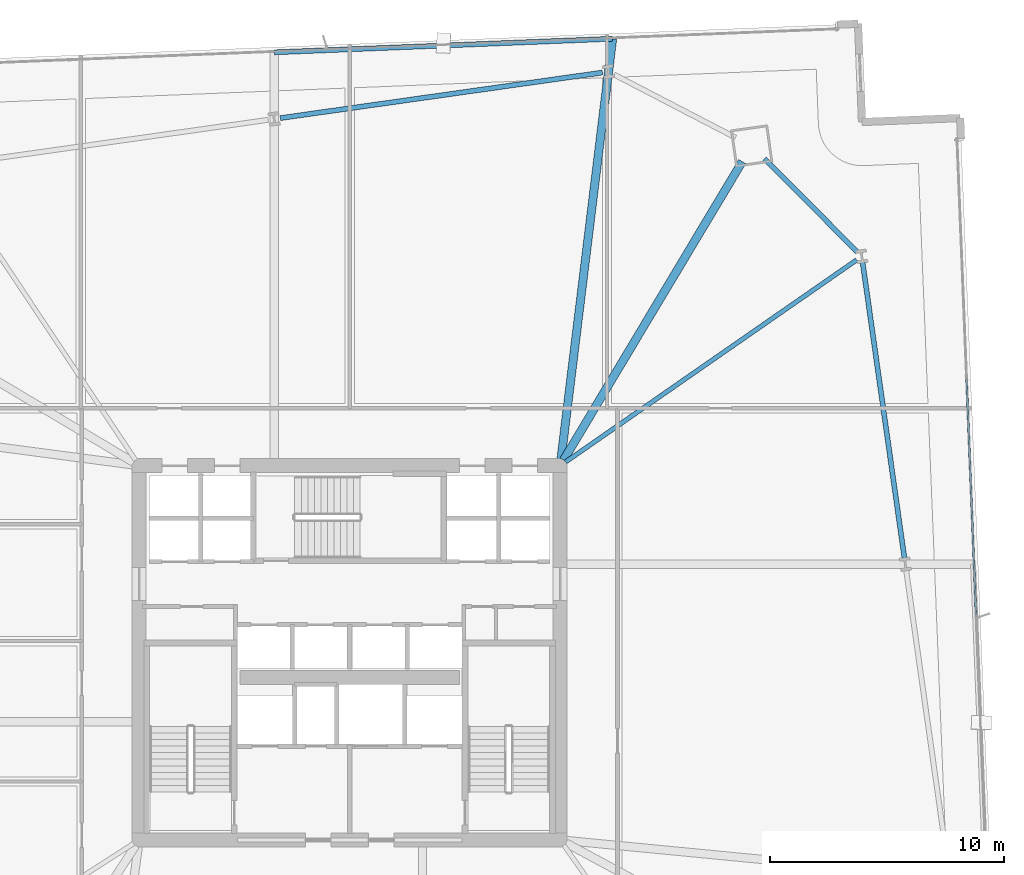
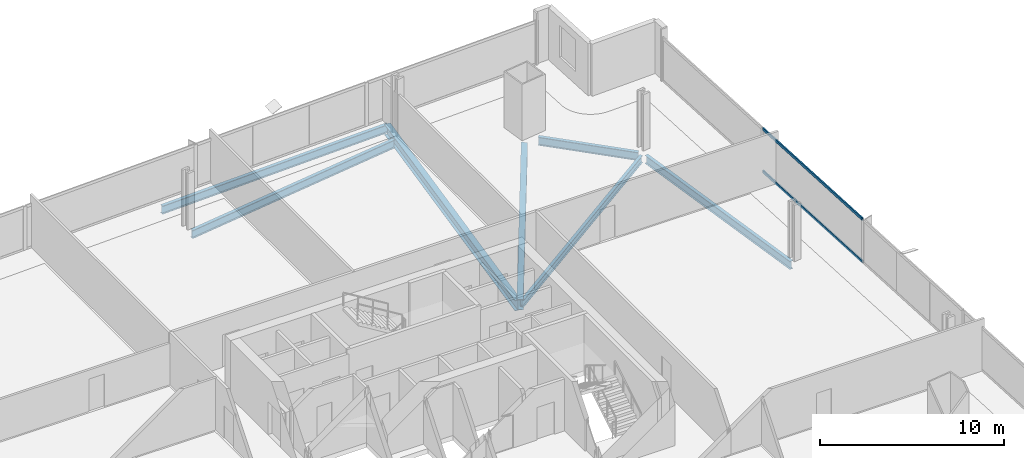
# One storey, part 20 of 32: 7 beams, 2 members, 1 element without a shape of its own.
"""IFC4 building model written with IfcOpenShell, lengths in metres."""

import ifcopenshell
import ifcopenshell.guid

model = None  # the IFC model being written
_history = None  # IfcOwnerHistory: only IFC2X3 demands one
_inside = {}  # id of a spatial element -> (the spatial element, [elements in it])
_under = {}  # id of a project, library or spatial element -> (it, [spatial elements below it])
_declared = {}  # id of a project -> (the project, [libraries it declares])
_typed = {}  # id of a type object -> (the type object, [elements of that type])
_made_of = {}  # id of a material, layer set ... -> (it, [elements and type objects made of it])


def new_model(schema):
    """Start an empty IFC model of exactly this schema.

    Asked for "IFC4X3", IfcOpenShell would pick the latest addendum, in which some entities
    have other attributes; the version numbers below select the first issue.
    IFC2X3 requires an IfcOwnerHistory on every rooted entity: one is made here for all.
    """
    global model, _history
    if schema == "IFC4X3":
        model = ifcopenshell.file(schema_version=(4, 3, 0, 0))
    else:
        model = ifcopenshell.file(schema=schema)
    _inside.clear()
    _under.clear()
    _declared.clear()
    _typed.clear()
    _made_of.clear()
    _history = None
    if model.schema == "IFC2X3":
        org = make("IfcOrganization", Name="unknown")
        user = make(
            "IfcPersonAndOrganization",
            ThePerson=make("IfcPerson", FamilyName="unknown"),
            TheOrganization=org,
        )
        app = make(
            "IfcApplication",
            ApplicationDeveloper=org,
            Version="unknown",
            ApplicationFullName="unknown",
            ApplicationIdentifier="unknown",
        )
        _history = make(
            "IfcOwnerHistory",
            OwningUser=user,
            OwningApplication=app,
            ChangeAction="ADDED",
            CreationDate=0,
        )
    return model


def make(cls, **values):
    """One entity of the class cls with the attributes given. An attribute that is None is left unset."""
    return model.create_entity(
        cls, **{name: value for name, value in values.items() if value is not None}
    )


def rooted(cls, **values):
    """An entity with a GlobalId (a new one), such as an element, a storey or a relation."""
    return make(cls, GlobalId=ifcopenshell.guid.new(), OwnerHistory=_history, **values)


def si_unit(unit_type, name, prefix=None):
    """IfcSIUnit, for example si_unit("LENGTHUNIT", "METRE", prefix="MILLI")."""
    return make("IfcSIUnit", UnitType=unit_type, Prefix=prefix, Name=name)


def assignment(units):
    """IfcUnitAssignment: the units of a project."""
    return None if units is None else make("IfcUnitAssignment", Units=units)


def point(xyz):
    """IfcCartesianPoint."""
    return None if xyz is None else make("IfcCartesianPoint", Coordinates=xyz)


def direction(xyz):
    """IfcDirection."""
    return None if xyz is None else make("IfcDirection", DirectionRatios=xyz)


def frame(location, z_axis=None, x_axis=None):
    """IfcAxis2Placement3D, a coordinate frame: its origin and axes. An axis left out is left unset."""
    return make(
        "IfcAxis2Placement3D",
        Location=point(location),
        Axis=direction(z_axis),
        RefDirection=direction(x_axis),
    )


def frame_2d(location, x_axis=None):
    """IfcAxis2Placement2D, a coordinate frame in the plane: its origin and x axis."""
    return make(
        "IfcAxis2Placement2D", Location=point(location), RefDirection=direction(x_axis)
    )


def origin():
    """The frame at (0, 0, 0) with its axes left unset."""
    return frame((0.0, 0.0, 0.0))


def origin_2d():
    """The frame at (0, 0) in the plane with its x axis left unset."""
    return frame_2d((0.0, 0.0))


def place(relative_to, where):
    """IfcLocalPlacement: puts the frame where relative to a parent placement (None: the world)."""
    return make(
        "IfcLocalPlacement", PlacementRelTo=relative_to, RelativePlacement=where
    )


def context(
    kind, dimensions, precision=None, world=None, true_north=None, identifier=None
):
    """IfcGeometricRepresentationContext, for example the 3D "Model" context."""
    return make(
        "IfcGeometricRepresentationContext",
        ContextIdentifier=identifier,
        ContextType=kind,
        CoordinateSpaceDimension=dimensions,
        Precision=precision,
        WorldCoordinateSystem=world,
        TrueNorth=true_north,
    )


def subcontext(parent, identifier, kind, view, scale=None):
    """IfcGeometricRepresentationSubContext, for example "Body" below "Model"."""
    return make(
        "IfcGeometricRepresentationSubContext",
        ContextIdentifier=identifier,
        ContextType=kind,
        ParentContext=parent,
        TargetScale=scale,
        TargetView=view,
    )


def project(units=None, contexts=None):
    """IfcProject with its units and contexts."""
    return rooted(
        "IfcProject",
        Name="project",
        RepresentationContexts=contexts,
        UnitsInContext=assignment(units),
    )


def spatial(cls, under=None, at=None, **own):
    """A site, building, storey or space (cls), placed at a placement, below another one or the project."""
    s = rooted(cls, ObjectPlacement=at, **own)
    if under is not None:
        _under.setdefault(under.id(), (under, []))[1].append(s)
    return s


def profile(cls, at=None, kind="AREA", **sizes):
    """A parametric profile (cls). Its sizes go by their IFC names, for example OverallWidth=200.0."""
    return make(cls, ProfileType=kind, Position=at, **sizes)


def hollow_rectangle(**sizes):
    """IfcRectangleHollowProfileDef."""
    return profile("IfcRectangleHollowProfileDef", **sizes)


def i_section(**sizes):
    """IfcIShapeProfileDef."""
    return profile("IfcIShapeProfileDef", **sizes)


def extrude(swept, where, along, depth):
    """IfcExtrudedAreaSolid: the profile swept, set in the frame where, extruded along a direction by depth."""
    return make(
        "IfcExtrudedAreaSolid",
        SweptArea=swept,
        Position=where,
        ExtrudedDirection=direction(along),
        Depth=depth,
    )


def shape(context_of_items, identifier, shape_type, items):
    """IfcShapeRepresentation: the items that make up one representation, for example the "Body"."""
    return make(
        "IfcShapeRepresentation",
        ContextOfItems=context_of_items,
        RepresentationIdentifier=identifier,
        RepresentationType=shape_type,
        Items=items,
    )


def material(Name=None, Category=None):
    """IfcMaterial."""
    return make("IfcMaterial", Name=Name, Category=Category)


def material_profile(
    of_material, cross_section, Name=None, Category=None, Priority=None
):
    """IfcMaterialProfile: a cross section and its material."""
    return make(
        "IfcMaterialProfile",
        Name=Name,
        Material=of_material,
        Profile=cross_section,
        Priority=Priority,
        Category=Category,
    )


def profile_set(profiles, Name=None, composite=None):
    """IfcMaterialProfileSet."""
    return make(
        "IfcMaterialProfileSet",
        Name=Name,
        MaterialProfiles=profiles,
        CompositeProfile=composite,
    )


def made_of(thing, what):
    """Note that an element or type object is made of a material, layer set ...; save() writes the relation."""
    if what is not None:
        _made_of.setdefault(what.id(), (what, []))[1].append(thing)
    return thing


def type_object(cls, material=None, **own):
    """A type object (cls), such as IfcWallType, which elements share."""
    return made_of(rooted(cls, **own), material)


def element(
    cls,
    number,
    at=None,
    inside=None,
    cuts=None,
    type_object=None,
    material=None,
    context=None,
    identifier="Body",
    shape_type=None,
    held_by="IfcProductDefinitionShape",
    body=None,
    shapes=None,
    **own,
):
    """One element of the class cls, such as IfcWall. Its Tag is "e" and its number.

    at: its placement. inside: the storey or other place that contains it. cuts: it is an
    opening in that element (IfcRelVoidsElement). A single representation is given by context,
    identifier, shape_type and body (its items); several are given by shapes. held_by: the class
    of the entity that holds the representations. save() writes the other relations.
    """
    e = rooted(cls, Tag="e%d" % number, ObjectPlacement=at, **own)
    if body is not None:
        shapes = [shape(context, identifier, shape_type, body)]
    if shapes is not None:
        e.Representation = make(held_by, Representations=shapes)
    if inside is not None:
        _inside.setdefault(inside.id(), (inside, []))[1].append(e)
    if cuts is not None:
        rooted(
            "IfcRelVoidsElement", RelatingBuildingElement=cuts, RelatedOpeningElement=e
        )
    if type_object is not None:
        _typed.setdefault(type_object.id(), (type_object, []))[1].append(e)
    return made_of(e, material)


def aggregate(whole, parts):
    """IfcRelAggregates: a whole, such as a stair, and the parts it consists of."""
    return rooted("IfcRelAggregates", RelatingObject=whole, RelatedObjects=parts)


def save(model, path):
    """Write the relations noted so far, then the file.

    IfcRelAggregates (storeys below a building ...), IfcRelContainedInSpatialStructure (elements
    in a storey), IfcRelDefinesByType, IfcRelAssociatesMaterial and IfcRelDeclares: one each for
    every whole, place, type object, material and project.
    """
    for whole, parts in _under.values():
        aggregate(whole, parts)
    for where, things in _inside.values():
        rooted(
            "IfcRelContainedInSpatialStructure",
            RelatedElements=things,
            RelatingStructure=where,
        )
    for kind, things in _typed.values():
        rooted("IfcRelDefinesByType", RelatedObjects=things, RelatingType=kind)
    for what, things in _made_of.values():
        rooted("IfcRelAssociatesMaterial", RelatedObjects=things, RelatingMaterial=what)
    for by, libraries in _declared.values():
        rooted("IfcRelDeclares", RelatingContext=by, RelatedDefinitions=libraries)
    model.write(path)


model = new_model("IFC4")

# Units and contexts
model_context = context("Model", 3, precision=1e-05, world=origin(), true_north=direction((0.0, 1.0)))
body_context = subcontext(model_context, "Body", "Model", "MODEL_VIEW")
ifc_project = project(units=[si_unit("LENGTHUNIT", "METRE"), si_unit("AREAUNIT", "SQUARE_METRE"), si_unit("VOLUMEUNIT", "CUBIC_METRE"), si_unit("PLANEANGLEUNIT", "RADIAN"), si_unit("MASSUNIT", "GRAM", prefix="KILO")], contexts=[model_context])

# Site, building, storey
site_placement = place(None, origin())
site = spatial("IfcSite", under=ifc_project, at=site_placement, CompositionType="ELEMENT")
building_placement = place(site_placement, origin())
building = spatial("IfcBuilding", under=site, at=building_placement, Name="Haldenkirk Collegiate Tower", CompositionType="ELEMENT")
storey_placement = place(building_placement, frame((0.0, 0.0, 36.449951171875)))
storey = spatial("IfcBuildingStorey", under=building, at=storey_placement, Name="L07", CompositionType="ELEMENT", Elevation=36.449951171875)

# Beams
ifc_material_1 = material(Name="Steel ASTM A992 Grade 50", Category="steel")
ifc_material_profile_1 = material_profile(ifc_material_1, i_section(OverallWidth=0.35498046875, OverallDepth=0.696044921875, WebThickness=0.015380859375, FlangeThickness=0.02490234375, at=origin_2d()), Name="W27X146")
ifc_profile_set_1 = profile_set([ifc_material_profile_1], Name="Steel ASTM A992 Grade 50")
beam_type_1 = type_object("IfcBeamType", Name="BM-GIRDER-W27X146", PredefinedType="BEAM", material=ifc_profile_set_1)
beam_1_placement = place(storey_placement, frame((52.783935546875, 47.000732421875, -0.657958984375), z_axis=(-0.513696499257, -0.857971973115, 0.0), x_axis=(0.857971973115, -0.513696499257, 0.0)))
element("IfcBeam", 1, at=beam_1_placement, inside=storey, type_object=beam_type_1, Name="L07 primary floor girder 03", PredefinedType="BEAM", context=body_context, shape_type="SweptSolid", body=[
    extrude(i_section(OverallWidth=0.35498046875, OverallDepth=0.696044921875, WebThickness=0.015380859375, FlangeThickness=0.02490234375, at=origin_2d()), origin(), (0.0, 0.0, 1.0), 14.872802734375),
])
beam_2_placement = place(storey_placement, frame((47.238525390625, 52.252197265625, -0.657958984375), z_axis=(-0.121726330842, -0.992563700918, 0.0), x_axis=(0.992563700918, -0.121726330842, 0.0)))
element("IfcBeam", 2, at=beam_2_placement, inside=storey, type_object=beam_type_1, Name="L07 primary floor girder 11", PredefinedType="BEAM", context=body_context, shape_type="SweptSolid", body=[
    extrude(i_section(OverallWidth=0.35498046875, OverallDepth=0.696044921875, WebThickness=0.015380859375, FlangeThickness=0.02490234375, at=origin_2d()), origin(), (0.0, 0.0, 1.0), 18.109130859375),
])
ifc_material_profile_2 = material_profile(ifc_material_1, i_section(OverallWidth=0.19189453125, OverallDepth=0.462890625, WebThickness=0.010498046875, FlangeThickness=0.017578125, at=origin_2d()), Name="W18X60")
ifc_profile_set_2 = profile_set([ifc_material_profile_2], Name="Steel ASTM A992 Grade 50")
beam_type_2 = type_object("IfcBeamType", Name="BM-JOIST-W18X60", PredefinedType="JOIST", material=ifc_profile_set_2)
beam_3_placement = place(storey_placement, frame((57.675048828125, 42.7978515625, -0.54150390625), z_axis=(-0.821500606737, -0.570207640365, 0.0), x_axis=(0.570207640365, -0.821500606737, 0.0)))
element("IfcBeam", 3, at=beam_3_placement, inside=storey, type_object=beam_type_2, Name="L07 composite floor joist 10", PredefinedType="JOIST", context=body_context, shape_type="SweptSolid", body=[
    extrude(i_section(OverallWidth=0.19189453125, OverallDepth=0.462890625, WebThickness=0.010498046875, FlangeThickness=0.017578125, at=origin_2d()), origin(), (0.0, 0.0, 1.0), 15.149169921875),
])
ifc_material_profile_3 = material_profile(ifc_material_1, i_section(OverallWidth=0.2119140625, OverallDepth=0.5439453125, WebThickness=0.01318359375, FlangeThickness=0.021240234375, at=origin_2d()), Name="W21X83")
ifc_profile_set_3 = profile_set([ifc_material_profile_3], Name="Steel ASTM A992 Grade 50")
beam_type_3 = type_object("IfcBeamType", Name="BM-SPANDREL-W21X83", PredefinedType="SPANDREL", material=ifc_profile_set_3)
beam_4_placement = place(storey_placement, frame((59.716552734375, 30.050537109375, -0.58203125), z_axis=(-0.140052642207, 0.990144058918, 0.0), x_axis=(-0.990144058918, -0.140052642207, 0.0)))
element("IfcBeam", 4, at=beam_4_placement, inside=storey, type_object=beam_type_3, Name="L07 perimeter spandrel beam 07", PredefinedType="SPANDREL", context=body_context, shape_type="SweptSolid", body=[
    extrude(i_section(OverallWidth=0.2119140625, OverallDepth=0.5439453125, WebThickness=0.01318359375, FlangeThickness=0.021240234375, at=origin_2d()), origin(), (0.0, 0.0, 1.0), 12.761962890625),
])
beam_5_placement = place(storey_placement, frame((57.70556640625, 43.135986328125, -0.58203125), z_axis=(-0.706085689957, 0.708126400043, 0.0), x_axis=(-0.708126400043, -0.706085689957, 0.0)))
element("IfcBeam", 5, at=beam_5_placement, inside=storey, type_object=beam_type_3, Name="L07 perimeter spandrel beam 08", PredefinedType="SPANDREL", context=body_context, shape_type="SweptSolid", body=[
    extrude(i_section(OverallWidth=0.2119140625, OverallDepth=0.5439453125, WebThickness=0.01318359375, FlangeThickness=0.021240234375, at=origin_2d()), origin(), (0.0, 0.0, 1.0), 5.622802734375),
])
beam_6_placement = place(storey_placement, frame((46.803955078125, 50.807373046875, -0.58203125), z_axis=(-0.990146197746, -0.14003752029, 0.0), x_axis=(0.14003752029, -0.990146197746, 0.0)))
element("IfcBeam", 6, at=beam_6_placement, inside=storey, type_object=beam_type_3, Name="L07 perimeter spandrel beam 10", PredefinedType="SPANDREL", context=body_context, shape_type="SweptSolid", body=[
    extrude(i_section(OverallWidth=0.2119140625, OverallDepth=0.5439453125, WebThickness=0.01318359375, FlangeThickness=0.021240234375, at=origin_2d()), origin(), (0.0, 0.0, 1.0), 13.906982421875),
])
beam_7_placement = place(storey_placement, frame((47.238525390625, 52.252197265625, -0.58203125), z_axis=(-0.999194318353, -0.040133703677, 0.0), x_axis=(0.040133703677, -0.999194318353, 0.0)))
element("IfcBeam", 7, at=beam_7_placement, inside=storey, type_object=beam_type_3, Name="L07 outer facade edge beam 3", PredefinedType="SPANDREL", context=body_context, shape_type="SweptSolid", body=[
    extrude(i_section(OverallWidth=0.2119140625, OverallDepth=0.5439453125, WebThickness=0.01318359375, FlangeThickness=0.021240234375, at=origin_2d()), origin(), (0.0, 0.0, 1.0), 14.47802734375),
])

# Curtain wall, members
ifc_material_2 = material(Name="Anodised architectural bronze aluminium", Category="aluminium")
curtain_wall_type = type_object("IfcCurtainWallType", Name="CW-SYS1-CONVEX-LOW", PredefinedType="USERDEFINED", material=ifc_material_2)
curtain_wall_placement = place(storey_placement, origin())
curtain_wall = element("IfcCurtainWall", 8, at=curtain_wall_placement, inside=storey, type_object=curtain_wall_type, Name="L07 Lower tower convex bronze-framed unitised curtain wall", ObjectType="UNITISED CURTAIN WALL", PredefinedType="USERDEFINED")
ifc_material_profile_4 = material_profile(ifc_material_2, hollow_rectangle(XDim=0.080078125, YDim=0.179931640625, WallThickness=0.0048828125, at=origin_2d()), Name="CW-TRN-1A")
ifc_profile_set_4 = profile_set([ifc_material_profile_4], Name="Anodised architectural bronze aluminium")
member_type = type_object("IfcMemberType", Name="CW-TRN-1A", PredefinedType="USERDEFINED", material=ifc_profile_set_4)
member_1_placement = place(storey_placement, frame((62.37060546875, 37.727783203125, 0.0400390625), z_axis=(0.040119298697, -0.99919489684, 0.0), x_axis=(0.99919489684, 0.040119298697, 0.0)))
member_1 = element("IfcMember", 9, at=member_1_placement, type_object=member_type, Name="CW-1A transom 2.1", ObjectType="TRANSOM", PredefinedType="USERDEFINED", context=body_context, shape_type="SweptSolid", body=[
    extrude(hollow_rectangle(XDim=0.080078125, YDim=0.179931640625, WallThickness=0.0048828125, at=origin_2d()), origin(), (0.0, 0.0, 1.0), 10.119873046875),
])
member_2_placement = place(storey_placement, frame((62.37060546875, 37.727783203125, 2.85107421875), z_axis=(0.040119298697, -0.99919489684, 0.0), x_axis=(0.99919489684, 0.040119298697, 0.0)))
member_2 = element("IfcMember", 10, at=member_2_placement, type_object=member_type, Name="CW-1A transom 2.2", ObjectType="TRANSOM", PredefinedType="USERDEFINED", context=body_context, shape_type="SweptSolid", body=[
    extrude(hollow_rectangle(XDim=0.080078125, YDim=0.179931640625, WallThickness=0.0048828125, at=origin_2d()), origin(), (0.0, 0.0, 1.0), 10.119873046875),
])
aggregate(curtain_wall, [member_1, member_2])

save(model, "model.ifc")
